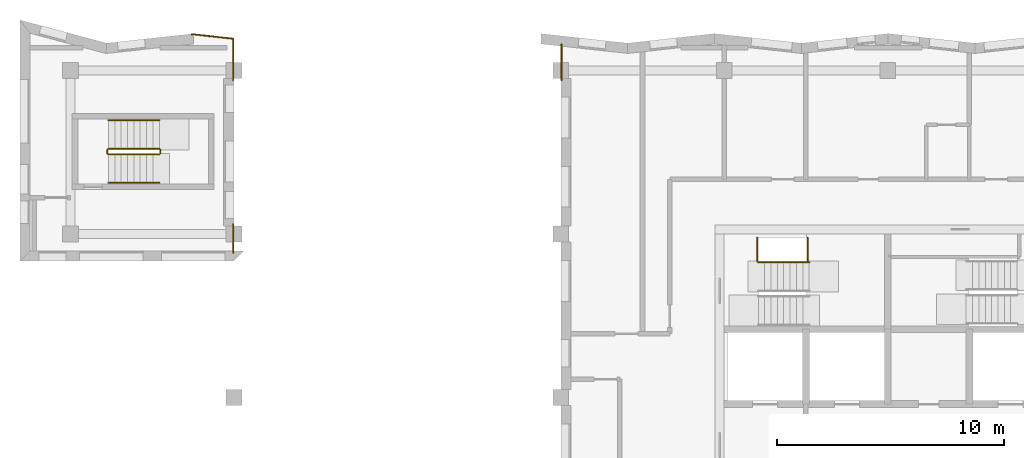
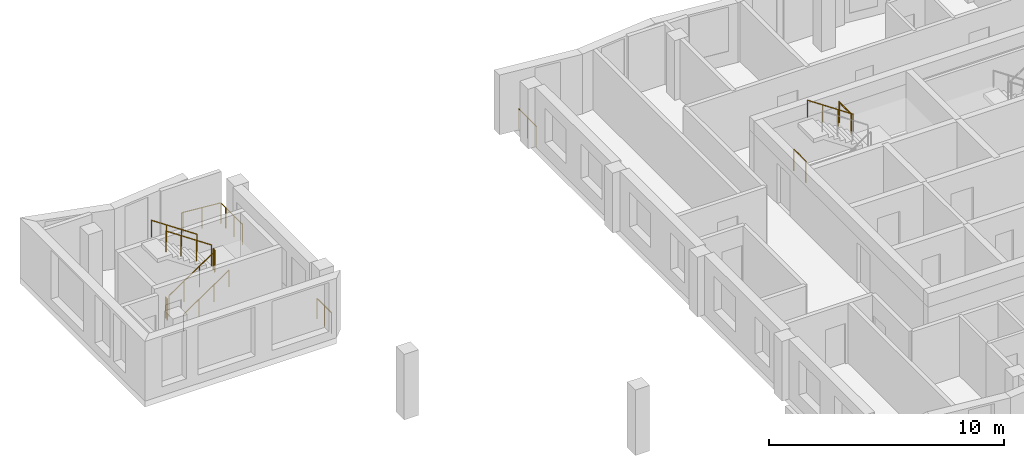
# One storey, part 10 of 12: 13 railings.
"""IFC4 building model written with IfcOpenShell, lengths in metres."""

from ifc_helpers import new_model, si_unit, direction, frame, origin, origin_2d, place, context, subcontext, project, spatial, circle, extrude, material, type_object, element, save


model = new_model("IFC4")

# Units and contexts
model_context = context("Model", 3, precision=1e-05, world=origin(), true_north=direction((0.0, 1.0)))
body_context = subcontext(model_context, "Body", "Model", "MODEL_VIEW")
ifc_project = project(units=[si_unit("LENGTHUNIT", "METRE"), si_unit("AREAUNIT", "SQUARE_METRE"), si_unit("VOLUMEUNIT", "CUBIC_METRE"), si_unit("PLANEANGLEUNIT", "RADIAN"), si_unit("MASSUNIT", "GRAM", prefix="KILO")], contexts=[model_context])

# Site, building, storey
site_placement = place(None, origin())
site = spatial("IfcSite", under=ifc_project, at=site_placement, CompositionType="ELEMENT")
building_placement = place(site_placement, origin())
building = spatial("IfcBuilding", under=site, at=building_placement, Name="Windrow Commons", CompositionType="ELEMENT")
storey_placement = place(building_placement, frame((0.0, 0.0, 257.4)))
storey = spatial("IfcBuildingStorey", under=building, at=storey_placement, Name="L70", CompositionType="ELEMENT", Elevation=257.4)

# Railings
ifc_material_1 = material(Name="Steel S355", Category="steel")
railing_type_1 = type_object("IfcRailingType", Name="Core stair guard 1100", PredefinedType="GUARDRAIL", material=ifc_material_1)
for number, where, name in (
    (1, (59.05, 63.6, 0.0), "L70 ST-A1 stair guard 3"),
    (2, (61.27, 63.6, 1.7), "L70 ST-A1 stair guard 4"),
):
    element("IfcRailing", number, at=place(storey_placement, frame(where)), inside=storey, type_object=railing_type_1, Name=name, PredefinedType="GUARDRAIL", context=body_context, shape_type="SweptSolid", body=[
        extrude(circle(Radius=0.024, at=origin_2d()), frame((0.0, 0.0, 1.076), z_axis=(0.0, 1.0, 0.0), x_axis=(-1.0, 0.0, 0.0)), (0.0, 0.0, 1.0), 1.03),
        extrude(circle(Radius=0.021, at=origin_2d()), origin(), (0.0, 0.0, 1.0), 1.052),
        extrude(circle(Radius=0.021, at=origin_2d()), frame((0.0, 1.03, 0.0)), (0.0, 0.0, 1.0), 1.052),
    ])
railing_1_placement = place(storey_placement, frame((30.475, 68.3, 0.1889)))
element("IfcRailing", 3, at=railing_1_placement, inside=storey, type_object=railing_type_1, Name="L70 ST-W stair guard 1", PredefinedType="GUARDRAIL", context=body_context, shape_type="SweptSolid", body=[
    extrude(circle(Radius=0.024, at=origin_2d()), frame((0.0, 0.0, 1.076), z_axis=(0.8290030985, 0.0, 0.5592440099), x_axis=(0.0, 1.0, 0.0)), (0.0, 0.0, 1.0), 2.702),
    extrude(circle(Radius=0.021, at=origin_2d()), origin(), (0.0, 0.0, 1.0), 1.052),
    extrude(circle(Radius=0.021, at=origin_2d()), frame((0.7467, 0.0, 0.5037)), (0.0, 0.0, 1.0), 1.052),
    extrude(circle(Radius=0.021, at=origin_2d()), frame((1.4933, 0.0, 1.0074)), (0.0, 0.0, 1.0), 1.052),
    extrude(circle(Radius=0.021, at=origin_2d()), frame((2.24, 0.0, 1.5111)), (0.0, 0.0, 1.0), 1.052),
])
railing_2_placement = place(storey_placement, frame((32.765, 68.35, 1.7)))
element("IfcRailing", 4, at=railing_2_placement, inside=storey, type_object=railing_type_1, Name="L70 ST-W stair guard 2", PredefinedType="GUARDRAIL", context=body_context, shape_type="SweptSolid", body=[
    extrude(circle(Radius=0.024, at=origin_2d()), frame((0.0, 0.0, 1.076), z_axis=(0.0, 1.0, 0.0), x_axis=(-1.0, 0.0, 0.0)), (0.0, 0.0, 1.0), 0.15),
    extrude(circle(Radius=0.021, at=origin_2d()), origin(), (0.0, 0.0, 1.0), 1.052),
    extrude(circle(Radius=0.021, at=origin_2d()), frame((0.0, 0.15, 0.0)), (0.0, 0.0, 1.0), 1.052),
])
railing_3_placement = place(storey_placement, frame((32.715, 68.55, 1.8889)))
element("IfcRailing", 5, at=railing_3_placement, inside=storey, type_object=railing_type_1, Name="L70 ST-W stair guard 3", PredefinedType="GUARDRAIL", context=body_context, shape_type="SweptSolid", body=[
    extrude(circle(Radius=0.024, at=origin_2d()), frame((0.0, 0.0, 1.076), z_axis=(-0.8290030985, 0.0, 0.5592440099), x_axis=(0.0, -1.0, 0.0)), (0.0, 0.0, 1.0), 2.702),
    extrude(circle(Radius=0.021, at=origin_2d()), origin(), (0.0, 0.0, 1.0), 1.052),
    extrude(circle(Radius=0.021, at=origin_2d()), frame((-0.7467, 0.0, 0.5037)), (0.0, 0.0, 1.0), 1.052),
    extrude(circle(Radius=0.021, at=origin_2d()), frame((-1.4933, 0.0, 1.0074)), (0.0, 0.0, 1.0), 1.052),
    extrude(circle(Radius=0.021, at=origin_2d()), frame((-2.24, 0.0, 1.5111)), (0.0, 0.0, 1.0), 1.052),
])
railing_4_placement = place(storey_placement, frame((30.425, 68.35, 0.0)))
element("IfcRailing", 6, at=railing_4_placement, inside=storey, type_object=railing_type_1, Name="L70 ST-W stair guard 4", PredefinedType="GUARDRAIL", context=body_context, shape_type="SweptSolid", body=[
    extrude(circle(Radius=0.024, at=origin_2d()), frame((0.0, 0.0, 1.076), z_axis=(0.0, 1.0, 0.0), x_axis=(-1.0, 0.0, 0.0)), (0.0, 0.0, 1.0), 0.15),
    extrude(circle(Radius=0.021, at=origin_2d()), origin(), (0.0, 0.0, 1.0), 1.052),
    extrude(circle(Radius=0.021, at=origin_2d()), frame((0.0, 0.15, 0.0)), (0.0, 0.0, 1.0), 1.052),
])
ifc_material_2 = material(Name="Steel S355", Category="steel")
railing_type_2 = type_object("IfcRailingType", Name="Core stair handrail 900", PredefinedType="HANDRAIL", material=ifc_material_2)
railing_5_placement = place(storey_placement, frame((61.34, 63.55, 1.8889)))
element("IfcRailing", 7, at=railing_5_placement, inside=storey, type_object=railing_type_2, Name="L70 ST-A1 stair handrail 2", PredefinedType="HANDRAIL", context=body_context, shape_type="SweptSolid", body=[
    extrude(circle(Radius=0.024, at=origin_2d()), frame((0.0, 0.0, 0.876), z_axis=(-0.8290030985, 0.0, 0.5592440099), x_axis=(0.0, -1.0, 0.0)), (0.0, 0.0, 1.0), 2.702),
    extrude(circle(Radius=0.021, at=origin_2d()), origin(), (0.0, 0.0, 1.0), 0.852),
    extrude(circle(Radius=0.021, at=origin_2d()), frame((-0.7467, 0.0, 0.5037)), (0.0, 0.0, 1.0), 0.852),
    extrude(circle(Radius=0.021, at=origin_2d()), frame((-1.4933, 0.0, 1.0074)), (0.0, 0.0, 1.0), 0.852),
    extrude(circle(Radius=0.021, at=origin_2d()), frame((-2.24, 0.0, 1.5111)), (0.0, 0.0, 1.0), 0.852),
])
railing_6_placement = place(storey_placement, frame((30.475, 67.05, 0.1889)))
element("IfcRailing", 8, at=railing_6_placement, inside=storey, type_object=railing_type_2, Name="L70 ST-W stair handrail 1", PredefinedType="HANDRAIL", context=body_context, shape_type="SweptSolid", body=[
    extrude(circle(Radius=0.024, at=origin_2d()), frame((0.0, 0.0, 0.876), z_axis=(0.8290030985, 0.0, 0.5592440099), x_axis=(0.0, 1.0, 0.0)), (0.0, 0.0, 1.0), 2.702),
    extrude(circle(Radius=0.021, at=origin_2d()), origin(), (0.0, 0.0, 1.0), 0.852),
    extrude(circle(Radius=0.021, at=origin_2d()), frame((0.7467, 0.0, 0.5037)), (0.0, 0.0, 1.0), 0.852),
    extrude(circle(Radius=0.021, at=origin_2d()), frame((1.4933, 0.0, 1.0074)), (0.0, 0.0, 1.0), 0.852),
    extrude(circle(Radius=0.021, at=origin_2d()), frame((2.24, 0.0, 1.5111)), (0.0, 0.0, 1.0), 0.852),
])
railing_7_placement = place(storey_placement, frame((32.715, 69.8, 1.8889)))
element("IfcRailing", 9, at=railing_7_placement, inside=storey, type_object=railing_type_2, Name="L70 ST-W stair handrail 2", PredefinedType="HANDRAIL", context=body_context, shape_type="SweptSolid", body=[
    extrude(circle(Radius=0.024, at=origin_2d()), frame((0.0, 0.0, 0.876), z_axis=(-0.8290030985, 0.0, 0.5592440099), x_axis=(0.0, -1.0, 0.0)), (0.0, 0.0, 1.0), 2.702),
    extrude(circle(Radius=0.021, at=origin_2d()), origin(), (0.0, 0.0, 1.0), 0.852),
    extrude(circle(Radius=0.021, at=origin_2d()), frame((-0.7467, 0.0, 0.5037)), (0.0, 0.0, 1.0), 0.852),
    extrude(circle(Radius=0.021, at=origin_2d()), frame((-1.4933, 0.0, 1.0074)), (0.0, 0.0, 1.0), 0.852),
    extrude(circle(Radius=0.021, at=origin_2d()), frame((-2.24, 0.0, 1.5111)), (0.0, 0.0, 1.0), 0.852),
])
ifc_material_3 = material(Name="Stainless steel S316 balustrade with toughened glass infill", Category="steel")
railing_type_3 = type_object("IfcRailingType", Name="Terrace guard 1100", PredefinedType="BALUSTRADE", material=ifc_material_3)
railing_8_placement = place(storey_placement, frame((50.43, 71.57, 0.0)))
element("IfcRailing", 10, at=railing_8_placement, inside=storey, type_object=railing_type_3, Name="Edge guard L70 2", PredefinedType="BALUSTRADE", context=body_context, shape_type="SweptSolid", body=[
    extrude(circle(Radius=0.025, at=origin_2d()), frame((0.0, 0.0, 1.075), z_axis=(0.0, 1.0, 0.0), x_axis=(-1.0, 0.0, 0.0)), (0.0, 0.0, 1.0), 1.577),
    extrude(circle(Radius=0.02, at=origin_2d()), origin(), (0.0, 0.0, 1.0), 1.05),
    extrude(circle(Radius=0.02, at=origin_2d()), frame((0.0, 0.7885, 0.0)), (0.0, 0.0, 1.0), 1.05),
    extrude(circle(Radius=0.02, at=origin_2d()), frame((0.0, 1.577, 0.0)), (0.0, 0.0, 1.0), 1.05),
])
railing_9_placement = place(storey_placement, frame((34.1329, 73.5804, 0.0)))
element("IfcRailing", 11, at=railing_9_placement, inside=storey, type_object=railing_type_3, Name="Edge guard L70 3", PredefinedType="BALUSTRADE", context=body_context, shape_type="SweptSolid", body=[
    extrude(circle(Radius=0.025, at=origin_2d()), frame((0.0, 0.0, 1.075), z_axis=(0.9940362232, 0.1090503874, 0.0), x_axis=(-0.1090503874, 0.9940362232, 0.0)), (0.0, 0.0, 1.0), 0.0954),
    extrude(circle(Radius=0.025, at=origin_2d()), frame((0.0948, 0.0104, 1.075), z_axis=(0.9939952377, -0.1094233407, 0.0), x_axis=(0.1094233407, 0.9939952377, 0.0)), (0.0, 0.0, 1.0), 1.7528),
    extrude(circle(Radius=0.025, at=origin_2d()), frame((1.8371, -0.1814, 1.075), z_axis=(0.0, -1.0, 0.0), x_axis=(1.0, 0.0, 0.0)), (0.0, 0.0, 1.0), 0.379),
    extrude(circle(Radius=0.02, at=origin_2d()), origin(), (0.0, 0.0, 1.0), 1.05),
    extrude(circle(Radius=0.02, at=origin_2d()), frame((0.0948, 0.0104, 0.0)), (0.0, 0.0, 1.0), 1.05),
    extrude(circle(Radius=0.02, at=origin_2d()), frame((0.9659, -0.0855, 0.0)), (0.0, 0.0, 1.0), 1.05),
    extrude(circle(Radius=0.02, at=origin_2d()), frame((1.8371, -0.1814, 0.0)), (0.0, 0.0, 1.0), 1.05),
    extrude(circle(Radius=0.02, at=origin_2d()), frame((1.8371, -0.5604, 0.0)), (0.0, 0.0, 1.0), 1.05),
])
railing_10_placement = place(storey_placement, frame((35.97, 65.23, 0.0)))
element("IfcRailing", 12, at=railing_10_placement, inside=storey, type_object=railing_type_3, Name="Edge guard L70 4", PredefinedType="BALUSTRADE", context=body_context, shape_type="SweptSolid", body=[
    extrude(circle(Radius=0.025, at=origin_2d()), frame((0.0, 0.0, 1.075), z_axis=(0.0, -1.0, 0.0), x_axis=(1.0, 0.0, 0.0)), (0.0, 0.0, 1.0), 1.26),
    extrude(circle(Radius=0.02, at=origin_2d()), origin(), (0.0, 0.0, 1.0), 1.05),
    extrude(circle(Radius=0.02, at=origin_2d()), frame((0.0, -0.63, 0.0)), (0.0, 0.0, 1.0), 1.05),
    extrude(circle(Radius=0.02, at=origin_2d()), frame((0.0, -1.26, 0.0)), (0.0, 0.0, 1.0), 1.05),
])
railing_11_placement = place(storey_placement, frame((35.97, 72.98, 0.0)))
element("IfcRailing", 13, at=railing_11_placement, inside=storey, type_object=railing_type_3, Name="Edge guard L70 5", PredefinedType="BALUSTRADE", context=body_context, shape_type="SweptSolid", body=[
    extrude(circle(Radius=0.025, at=origin_2d()), frame((0.0, 0.0, 1.075), z_axis=(0.0, -1.0, 0.0), x_axis=(1.0, 0.0, 0.0)), (0.0, 0.0, 1.0), 1.41),
    extrude(circle(Radius=0.02, at=origin_2d()), origin(), (0.0, 0.0, 1.0), 1.05),
    extrude(circle(Radius=0.02, at=origin_2d()), frame((0.0, -0.705, 0.0)), (0.0, 0.0, 1.0), 1.05),
    extrude(circle(Radius=0.02, at=origin_2d()), frame((0.0, -1.41, 0.0)), (0.0, 0.0, 1.0), 1.05),
])

save(model, "model.ifc")
